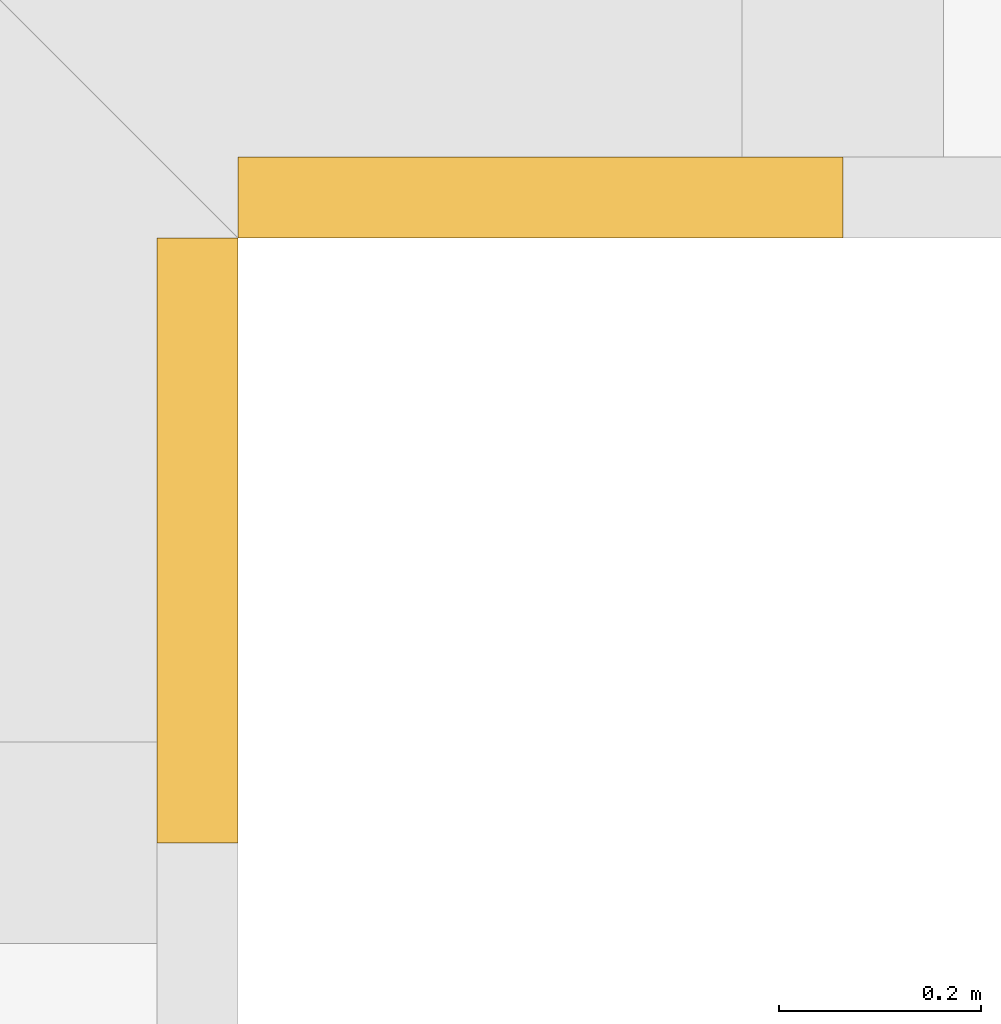
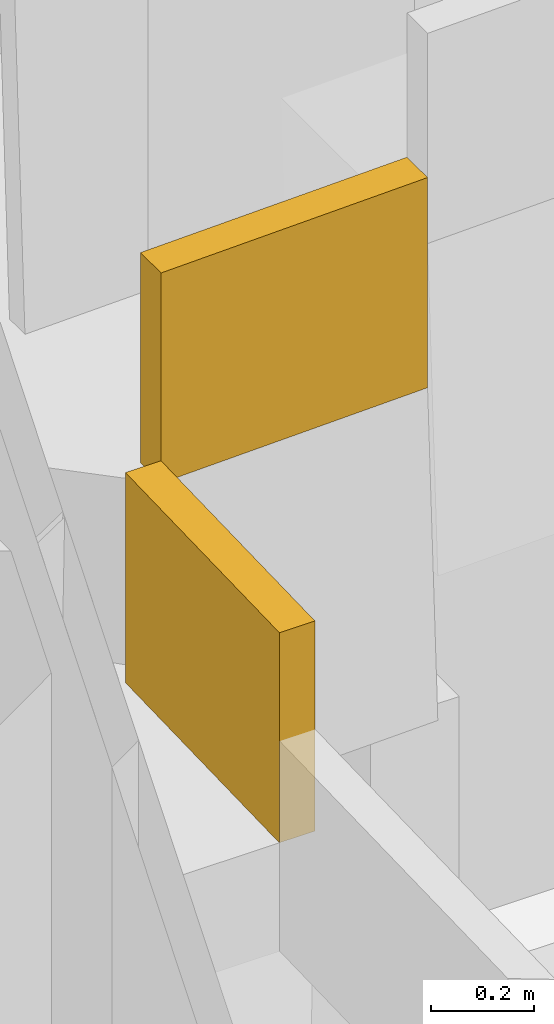
# One storey, part 30 of 30: 2 coverings.
"""IFC4 building model written with IfcOpenShell, lengths in metres."""

from ifc_helpers import new_model, si_unit, direction, frame, origin, place, context, subcontext, project, spatial, polyline, outline, extrude, material, layer, layer_set, type_object, element, save


model = new_model("IFC4")

# Units and contexts
model_context = context("Model", 3, precision=1e-05, world=origin(), true_north=direction((0.0, 1.0)))
body_context = subcontext(model_context, "Body", "Model", "MODEL_VIEW")
ifc_project = project(units=[si_unit("LENGTHUNIT", "METRE"), si_unit("AREAUNIT", "SQUARE_METRE"), si_unit("VOLUMEUNIT", "CUBIC_METRE"), si_unit("PLANEANGLEUNIT", "RADIAN"), si_unit("MASSUNIT", "GRAM", prefix="KILO")], contexts=[model_context])

# Site, building, storey
site_placement = place(None, origin())
site = spatial("IfcSite", under=ifc_project, at=site_placement, CompositionType="ELEMENT")
building_placement = place(site_placement, origin())
building = spatial("IfcBuilding", under=site, at=building_placement, Name="Saffron Gate Tower", CompositionType="ELEMENT")
storey_placement = place(building_placement, frame((0.0, 0.0, 69.60009765625)))
storey = spatial("IfcBuildingStorey", under=building, at=storey_placement, Name="L16", CompositionType="ELEMENT", Elevation=69.60009765625)

# Coverings
ifc_material = material(Name="Timber, thermally modified ash", Category="wood")
ifc_layer = layer(ifc_material, 0.080078125)
ifc_layer_set = layer_set([ifc_layer], Name="LD2 ledge planter trough")
covering_type = type_object("IfcCoveringType", Name="LD2 ledge planter trough", PredefinedType="CLADDING", material=ifc_layer_set)
covering_1_placement = place(storey_placement, frame((124.800048828125, 31.800048828125, 2.394775390625), z_axis=(1.0, 0.0, 0.0), x_axis=(0.0, 0.999582742162, 0.028884971385)))
element("IfcCovering", 1, at=covering_1_placement, inside=storey, type_object=covering_type, Name="LEDGE planter trough", PredefinedType="CLADDING", context=body_context, shape_type="SweptSolid", body=[
    extrude(outline(polyline([(0.0, 0.0), (0.6001039136866089, 0.0), (0.614546399379222, 0.4997913710809928), (0.014442485692613144, 0.49979137108099286), (0.0, 0.0)])), origin(), (0.0, 0.0, -1.0), 0.080078125),
])
covering_2_placement = place(storey_placement, frame((124.800048828125, 32.39990234375, 2.85888671875), z_axis=(0.0, -1.0, 0.0), x_axis=(0.999594406032, 0.0, 0.028478473106)))
element("IfcCovering", 2, at=covering_2_placement, inside=storey, type_object=covering_type, Name="LEDGE planter trough", PredefinedType="CLADDING", context=body_context, shape_type="SweptSolid", body=[
    extrude(outline(polyline([(0.0, 0.0), (0.6000969113127241, 0.0), (0.6143361478658799, 0.49979720301576647), (0.01423923655315574, 0.49979720301576647), (0.0, 0.0)])), origin(), (0.0, 0.0, -1.0), 0.080078125),
])

save(model, "model.ifc")
